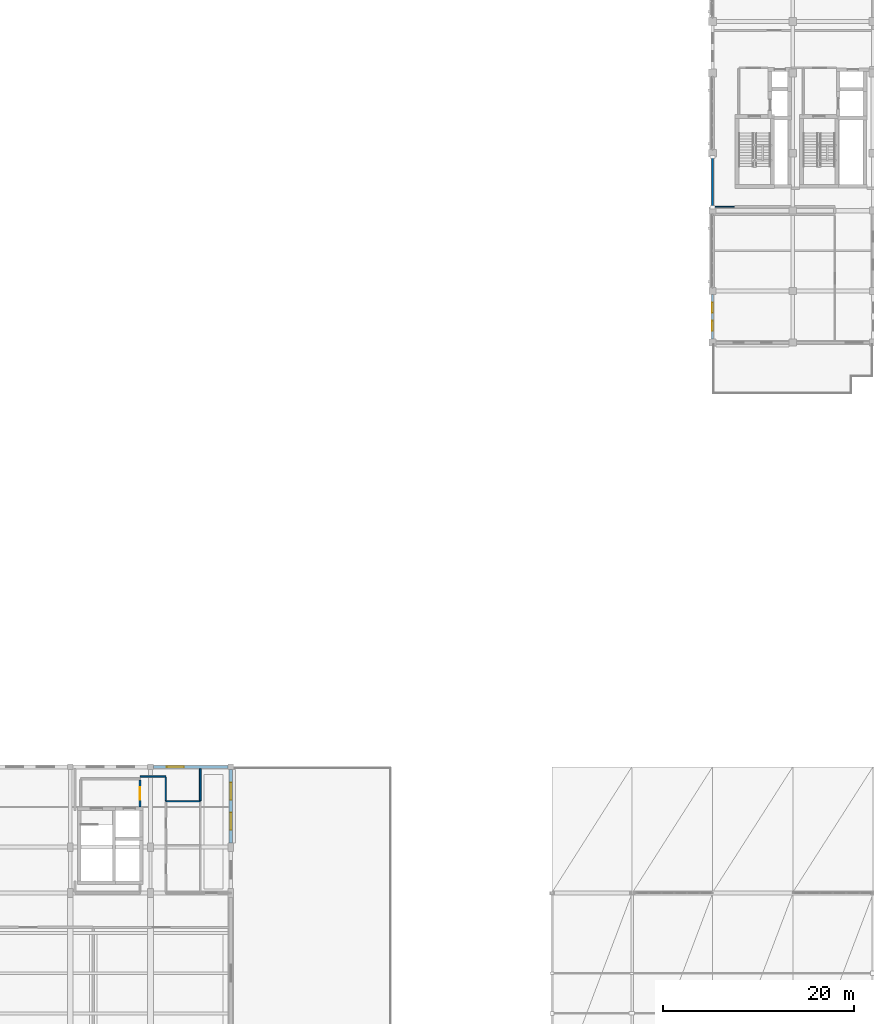
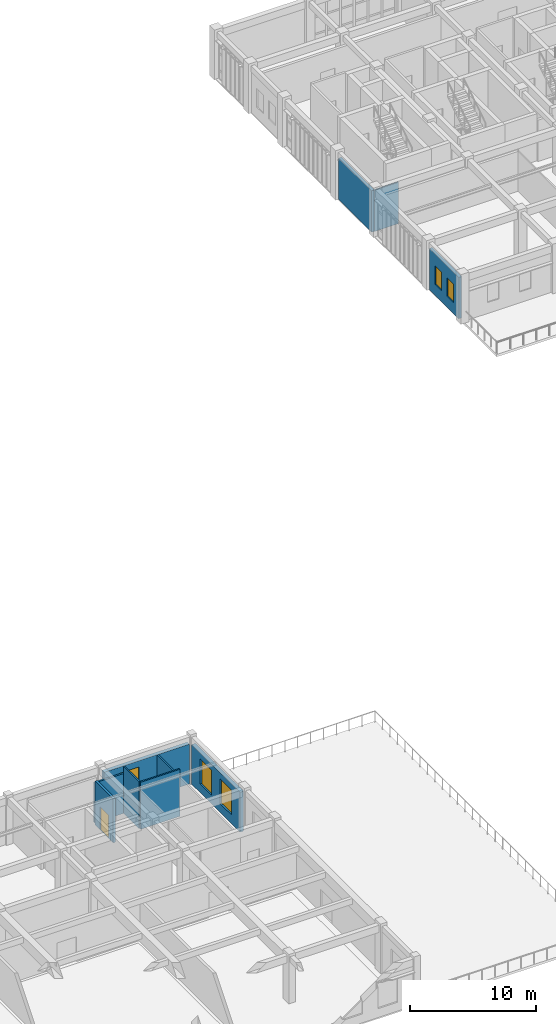
# One storey, part 70 of 76: 10 walls, 5 windows, 1 door, 6 openings.
"""IFC4 building model written with IfcOpenShell, lengths in metres."""

from ifc_helpers import new_model, si_unit, direction, frame, frame_2d, origin, place, context, subcontext, project, spatial, rectangle, extrude, material, layer, layer_set, type_object, element, fill, save


model = new_model("IFC4")

# Units and contexts
model_context = context("Model", 3, precision=1e-05, world=origin(), true_north=direction((0.0, 1.0)))
body_context = subcontext(model_context, "Body", "Model", "MODEL_VIEW")
ifc_project = project(units=[si_unit("LENGTHUNIT", "METRE"), si_unit("AREAUNIT", "SQUARE_METRE"), si_unit("VOLUMEUNIT", "CUBIC_METRE"), si_unit("PLANEANGLEUNIT", "RADIAN"), si_unit("MASSUNIT", "GRAM", prefix="KILO")], contexts=[model_context])

# Site, building, storey
site_placement = place(None, origin())
site = spatial("IfcSite", under=ifc_project, at=site_placement, CompositionType="ELEMENT")
building_placement = place(site_placement, origin())
building = spatial("IfcBuilding", under=site, at=building_placement, Name="Krzemoval Escarpment Law Courts", CompositionType="ELEMENT")
storey_placement = place(building_placement, frame((0.0, 0.0, 20.39990234375)))
storey = spatial("IfcBuildingStorey", under=building, at=storey_placement, Name="L04", CompositionType="ELEMENT", Elevation=20.39990234375)

# Wall, openings, windows
ifc_material_1 = material(Name="Precast concrete C40/50", Category="concrete")
ifc_layer_1 = layer(ifc_material_1, 0.260009765625)
ifc_layer_set_1 = layer_set([ifc_layer_1], Name="Precast concrete C40/50")
wall_type_1 = type_object("IfcWallType", Name="WL-EXT-260", PredefinedType="SOLIDWALL", material=ifc_layer_set_1)
wall_1_placement = place(storey_placement, frame((126.0, 80.175048828125, 0.0), z_axis=(0.0, 0.0, 1.0), x_axis=(0.0, 1.0, 0.0)))
wall_1 = element("IfcWall", 1, at=wall_1_placement, inside=storey, type_object=wall_type_1, Name="Exterior Wall EW-L04-0413", PredefinedType="SOLIDWALL", context=body_context, shape_type="SweptSolid", body=[
    extrude(rectangle(XDim=4.64990234375, YDim=0.260009765625, at=frame_2d((2.324951171875, 0.0))), origin(), (0.0, 0.0, 1.0), 4.0),
])
opening_1_placement = place(wall_1_placement, frame((0.85009765625, 0.0, 1.050048828125)))
opening_1 = element("IfcOpeningElement", 2, at=opening_1_placement, cuts=wall_1, Name="Opening WN-L04-0492", PredefinedType="OPENING", context=body_context, shape_type="SweptSolid", body=[
    extrude(rectangle(XDim=1.050048828125, YDim=1.800048828125, at=frame_2d((0.52490234375, 0.89990234375))), frame((0.0, 0.145, 0.0), z_axis=(0.0, -1.0, 0.0), x_axis=(1.0, 0.0, 0.0)), (0.0, 0.0, 1.0), 0.29001),
])
opening_2_placement = place(wall_1_placement, frame((2.75, 0.0, 1.050048828125)))
opening_2 = element("IfcOpeningElement", 3, at=opening_2_placement, cuts=wall_1, Name="Opening WN-L04-0493", PredefinedType="OPENING", context=body_context, shape_type="SweptSolid", body=[
    extrude(rectangle(XDim=1.050048828125, YDim=1.800048828125, at=frame_2d((0.52490234375, 0.89990234375))), frame((0.0, 0.145, 0.0), z_axis=(0.0, -1.0, 0.0), x_axis=(1.0, 0.0, 0.0)), (0.0, 0.0, 1.0), 0.29001),
])
ifc_material_2 = material(Name="Thermally Broken Aluminium Frame with Triple Low-E Acoustic Glass", Category="aluminium")
window_type_1 = type_object("IfcWindowType", Name="WN-1050x1800", PartitioningType="SINGLE_PANEL", PredefinedType="WINDOW", material=ifc_material_2)
window_1_placement = place(opening_1_placement, origin())
window_1 = element("IfcWindow", 4, at=window_1_placement, inside=storey, type_object=window_type_1, Name="Facade Window WN-L04-0492", OverallHeight=1.800048828125, OverallWidth=1.050048828125, PartitioningType="SINGLE_PANEL", PredefinedType="WINDOW", context=body_context, shape_type="SweptSolid", body=[
    extrude(rectangle(XDim=1.050048828125, YDim=1.800048828125, at=frame_2d((0.52490234375, 0.89990234375))), frame((0.0, 0.030029296875, 0.0), z_axis=(0.0, -1.0, 0.0), x_axis=(1.0, 0.0, 0.0)), (0.0, 0.0, 1.0), 0.06005859375),
])
fill(opening_1, window_1)
window_2_placement = place(opening_2_placement, origin())
window_2 = element("IfcWindow", 5, at=window_2_placement, inside=storey, type_object=window_type_1, Name="Facade Window WN-L04-0493", OverallHeight=1.800048828125, OverallWidth=1.050048828125, PartitioningType="SINGLE_PANEL", PredefinedType="WINDOW", context=body_context, shape_type="SweptSolid", body=[
    extrude(rectangle(XDim=1.050048828125, YDim=1.800048828125, at=frame_2d((0.52490234375, 0.89990234375))), frame((0.0, 0.030029296875, 0.0), z_axis=(0.0, -1.0, 0.0), x_axis=(1.0, 0.0, 0.0)), (0.0, 0.0, 1.0), 0.06005859375),
])
fill(opening_2, window_2)

# Wall
wall_2_placement = place(storey_placement, frame((126.0, 93.97509765625, 0.0), z_axis=(0.0, 0.0, 1.0), x_axis=(0.0, 1.0, 0.0)))
element("IfcWall", 6, at=wall_2_placement, inside=storey, type_object=wall_type_1, Name="Exterior Wall EW-L04-0414", PredefinedType="SOLIDWALL", context=body_context, shape_type="SweptSolid", body=[
    extrude(rectangle(XDim=5.224853515625, YDim=0.260009765625, at=frame_2d((2.6123046875, 0.0))), origin(), (0.0, 0.0, 1.0), 4.0),
])

# Wall, opening, window
ifc_material_3 = material(Name="Precast concrete C40/50", Category="concrete")
ifc_layer_2 = layer(ifc_material_3, 0.340087890625)
ifc_layer_set_2 = layer_set([ifc_layer_2], Name="Precast concrete C40/50")
wall_type_2 = type_object("IfcWallType", Name="WL-EXT-340", PredefinedType="SOLIDWALL", material=ifc_layer_set_2)
wall_3_placement = place(storey_placement, frame((67.5, 35.39990234375, 0.0), z_axis=(0.0, 0.0, 1.0), x_axis=(1.0, 0.0, 0.0)))
wall_3 = element("IfcWall", 7, at=wall_3_placement, inside=storey, type_object=wall_type_2, Name="Exterior Wall EW-L04-0403", PredefinedType="SOLIDWALL", context=body_context, shape_type="SweptSolid", body=[
    extrude(rectangle(XDim=7.800048828125, YDim=0.340087890625, at=frame_2d((3.89990234375, 0.0))), origin(), (0.0, 0.0, 1.0), 3.85009765625),
])
opening_3_placement = place(wall_3_placement, frame((1.39990234375, 0.0, 0.85009765625)))
opening_3 = element("IfcOpeningElement", 8, at=opening_3_placement, cuts=wall_3, Name="Opening WN-L04-0479", PredefinedType="OPENING", context=body_context, shape_type="SweptSolid", body=[
    extrude(rectangle(XDim=1.800048828125, YDim=2.39990234375, at=frame_2d((0.89990234375, 1.199951171875))), frame((0.0, 0.18504, 0.0), z_axis=(0.0, -1.0, 0.0), x_axis=(1.0, 0.0, 0.0)), (0.0, 0.0, 1.0), 0.37009),
])
ifc_material_4 = material(Name="Thermally Broken Aluminium Frame with Triple Low-E Acoustic Glass", Category="aluminium")
window_type_2 = type_object("IfcWindowType", Name="WN-1800x2400", PartitioningType="SINGLE_PANEL", PredefinedType="WINDOW", material=ifc_material_4)
window_3_placement = place(opening_3_placement, origin())
window_3 = element("IfcWindow", 9, at=window_3_placement, inside=storey, type_object=window_type_2, Name="Facade Window WN-L04-0479", OverallHeight=2.39990234375, OverallWidth=1.800048828125, PartitioningType="SINGLE_PANEL", PredefinedType="WINDOW", context=body_context, shape_type="SweptSolid", body=[
    extrude(rectangle(XDim=1.800048828125, YDim=2.39990234375, at=frame_2d((0.89990234375, 1.199951171875))), frame((0.0, 0.030029296875, 0.0), z_axis=(0.0, -1.0, 0.0), x_axis=(1.0, 0.0, 0.0)), (0.0, 0.0, 1.0), 0.06005859375),
])
fill(opening_3, window_3)

# Wall, openings, windows
wall_4_placement = place(storey_placement, frame((75.60009765625, 35.10009765625, 0.0), z_axis=(0.0, 0.0, 1.0), x_axis=(0.0, -1.0, 0.0)))
wall_4 = element("IfcWall", 10, at=wall_4_placement, inside=storey, type_object=wall_type_2, Name="Exterior Wall EW-L04-0404", PredefinedType="SOLIDWALL", context=body_context, shape_type="SweptSolid", body=[
    extrude(rectangle(XDim=7.650146484375, YDim=0.340087890625, at=frame_2d((3.8251953125, 0.0))), origin(), (0.0, 0.0, 1.0), 3.85009765625),
])
opening_4_placement = place(wall_4_placement, frame((1.35009765625, 0.0, 0.85009765625)))
opening_4 = element("IfcOpeningElement", 11, at=opening_4_placement, cuts=wall_4, Name="Opening WN-L04-0480", PredefinedType="OPENING", context=body_context, shape_type="SweptSolid", body=[
    extrude(rectangle(XDim=1.800048828125, YDim=2.39990234375, at=frame_2d((0.89990234375, 1.199951171875))), frame((0.0, 0.18504, 0.0), z_axis=(0.0, -1.0, 0.0), x_axis=(1.0, 0.0, 0.0)), (0.0, 0.0, 1.0), 0.37009),
])
opening_5_placement = place(wall_4_placement, frame((4.5, 0.0, 0.85009765625)))
opening_5 = element("IfcOpeningElement", 12, at=opening_5_placement, cuts=wall_4, Name="Opening WN-L04-0481", PredefinedType="OPENING", context=body_context, shape_type="SweptSolid", body=[
    extrude(rectangle(XDim=1.800048828125, YDim=2.39990234375, at=frame_2d((0.89990234375, 1.199951171875))), frame((0.0, 0.18504, 0.0), z_axis=(0.0, -1.0, 0.0), x_axis=(1.0, 0.0, 0.0)), (0.0, 0.0, 1.0), 0.37009),
])
window_4_placement = place(opening_4_placement, origin())
window_4 = element("IfcWindow", 13, at=window_4_placement, inside=storey, type_object=window_type_2, Name="Facade Window WN-L04-0480", OverallHeight=2.39990234375, OverallWidth=1.800048828125, PartitioningType="SINGLE_PANEL", PredefinedType="WINDOW", context=body_context, shape_type="SweptSolid", body=[
    extrude(rectangle(XDim=1.800048828125, YDim=2.39990234375, at=frame_2d((0.89990234375, 1.199951171875))), frame((0.0, 0.030029296875, 0.0), z_axis=(0.0, -1.0, 0.0), x_axis=(1.0, 0.0, 0.0)), (0.0, 0.0, 1.0), 0.06005859375),
])
fill(opening_4, window_4)
window_5_placement = place(opening_5_placement, origin())
window_5 = element("IfcWindow", 14, at=window_5_placement, inside=storey, type_object=window_type_2, Name="Facade Window WN-L04-0481", OverallHeight=2.39990234375, OverallWidth=1.800048828125, PartitioningType="SINGLE_PANEL", PredefinedType="WINDOW", context=body_context, shape_type="SweptSolid", body=[
    extrude(rectangle(XDim=1.800048828125, YDim=2.39990234375, at=frame_2d((0.89990234375, 1.199951171875))), frame((0.0, 0.030029296875, 0.0), z_axis=(0.0, -1.0, 0.0), x_axis=(1.0, 0.0, 0.0)), (0.0, 0.0, 1.0), 0.06005859375),
])
fill(opening_5, window_5)

# Walls
ifc_material_5 = material(Name="Light Internal Subdivision Partition", Category="gypsum")
ifc_layer_3 = layer(ifc_material_5, 0.114990234375)
ifc_layer_set_3 = layer_set([ifc_layer_3], Name="Light Internal Subdivision Partition")
wall_type_3 = type_object("IfcWallType", Name="WL-PRT-115", PredefinedType="PARTITIONING", material=ifc_layer_set_3)
wall_5_placement = place(storey_placement, frame((126.132080078125, 94.0, 0.0), z_axis=(0.0, 0.0, 1.0), x_axis=(1.0, 0.0, 0.0)))
element("IfcWall", 15, at=wall_5_placement, inside=storey, type_object=wall_type_3, Name="Interior Partition PW-L04-0600", PredefinedType="PARTITIONING", context=body_context, shape_type="SweptSolid", body=[
    extrude(rectangle(XDim=2.16796875, YDim=0.114990234375, at=frame_2d((1.083984375, 0.0))), origin(), (0.0, 0.0, 1.0), 4.0),
])
ifc_material_6 = material(Name="Standard Metal-Stud Gypsum Partition", Category="gypsum")
ifc_layer_4 = layer(ifc_material_6, 0.125)
ifc_layer_set_4 = layer_set([ifc_layer_4], Name="Standard Metal-Stud Gypsum Partition")
wall_type_4 = type_object("IfcWallType", Name="WL-PRT-125", PredefinedType="PARTITIONING", material=ifc_layer_set_4)
wall_6_placement = place(storey_placement, frame((68.800048828125, 31.8720703125, 0.0), z_axis=(0.0, 0.0, 1.0), x_axis=(0.0, 1.0, 0.0)))
element("IfcWall", 16, at=wall_6_placement, inside=storey, type_object=wall_type_4, Name="Interior Partition PW-L04-0623", PredefinedType="PARTITIONING", context=body_context, shape_type="SweptSolid", body=[
    extrude(rectangle(XDim=2.446044921875, YDim=0.125, at=frame_2d((1.22314453125, 0.0))), origin(), (0.0, 0.0, 1.0), 4.550048828125),
])
ifc_material_7 = material(Name="Sanitary Moisture-Resistant Partition", Category="gypsum")
ifc_layer_5 = layer(ifc_material_7, 0.139892578125)
ifc_layer_set_5 = layer_set([ifc_layer_5], Name="Sanitary Moisture-Resistant Partition")
wall_type_5 = type_object("IfcWallType", Name="WL-PRT-140", PredefinedType="PARTITIONING", material=ifc_layer_set_5)
wall_7_placement = place(storey_placement, frame((68.800048828125, 31.800048828125, 0.0), z_axis=(0.0, 0.0, 1.0), x_axis=(1.0, 0.0, 0.0)))
element("IfcWall", 17, at=wall_7_placement, inside=storey, type_object=wall_type_5, Name="Interior Partition PW-L04-0596", PredefinedType="PARTITIONING", context=body_context, shape_type="SweptSolid", body=[
    extrude(rectangle(XDim=3.599853515625, YDim=0.139892578125, at=frame_2d((1.7998046875, 0.0))), origin(), (0.0, 0.0, 1.0), 4.550048828125),
])
ifc_material_8 = material(Name="Jury Suite Partition Assembly", Category="gypsum")
ifc_layer_6 = layer(ifc_material_8, 0.159912109375)
ifc_layer_set_6 = layer_set([ifc_layer_6], Name="Jury Suite Partition Assembly")
wall_type_6 = type_object("IfcWallType", Name="WL-PRT-160", PredefinedType="PARTITIONING", material=ifc_layer_set_6)
wall_8_placement = place(storey_placement, frame((66.10009765625, 34.39990234375, 0.0), z_axis=(0.0, 0.0, 1.0), x_axis=(1.0, 0.0, 0.0)))
element("IfcWall", 18, at=wall_8_placement, inside=storey, type_object=wall_type_6, Name="Interior Partition PW-L04-0598", PredefinedType="PARTITIONING", context=body_context, shape_type="SweptSolid", body=[
    extrude(rectangle(XDim=2.699951171875, YDim=0.159912109375, at=frame_2d((1.35009765625, 0.0))), origin(), (0.0, 0.0, 1.0), 3.85009765625),
])
wall_9_placement = place(storey_placement, frame((72.39990234375, 31.8720703125, 0.0), z_axis=(0.0, 0.0, 1.0), x_axis=(0.0, 1.0, 0.0)))
element("IfcWall", 19, at=wall_9_placement, inside=storey, type_object=wall_type_6, Name="Interior Partition PW-L04-0628", PredefinedType="PARTITIONING", context=body_context, shape_type="SweptSolid", body=[
    extrude(rectangle(XDim=3.35595703125, YDim=0.159912109375, at=frame_2d((1.677978515625, 0.0))), origin(), (0.0, 0.0, 1.0), 3.85009765625),
])

# Wall, opening, door
ifc_material_9 = material(Name="Fire-Rated Corridor Partition Wall", Category="gypsum")
ifc_layer_7 = layer(ifc_material_9, 0.199951171875)
ifc_layer_set_7 = layer_set([ifc_layer_7], Name="Fire-Rated Corridor Partition Wall")
wall_type_7 = type_object("IfcWallType", Name="WL-PRT-200", PredefinedType="PARTITIONING", material=ifc_layer_set_7)
wall_10_placement = place(storey_placement, frame((66.10009765625, 31.201904296875, 0.0), z_axis=(0.0, 0.0, 1.0), x_axis=(0.0, 1.0, 0.0)))
wall_10 = element("IfcWall", 20, at=wall_10_placement, inside=storey, type_object=wall_type_7, Name="Interior Partition PW-L04-0621", PredefinedType="PARTITIONING", context=body_context, shape_type="SweptSolid", body=[
    extrude(rectangle(XDim=2.84619140625, YDim=0.199951171875, at=frame_2d((1.423095703125, 0.0))), origin(), (0.0, 0.0, 1.0), 4.25),
])
opening_6_placement = place(wall_10_placement, frame((0.77294921875, 0.0, 0.0)))
opening_6 = element("IfcOpeningElement", 21, at=opening_6_placement, cuts=wall_10, Name="Opening D-L04-0203", PredefinedType="OPENING", context=body_context, shape_type="SweptSolid", body=[
    extrude(rectangle(XDim=1.300048828125, YDim=2.199951171875, at=frame_2d((0.64990234375, 1.10009765625))), frame((0.0, 0.11498, 0.0), z_axis=(0.0, -1.0, 0.0), x_axis=(1.0, 0.0, 0.0)), (0.0, 0.0, 1.0), 0.22995),
])
ifc_material_10 = material(Name="Galvanised Steel S355", Category="steel")
door_type = type_object("IfcDoorType", Name="DR-STR-1300x2200", OperationType="SINGLE_SWING_LEFT", PredefinedType="DOOR", material=ifc_material_10)
door_placement = place(opening_6_placement, origin())
door = element("IfcDoor", 22, at=door_placement, inside=storey, type_object=door_type, Name="Room Door D-L04-0203", OperationType="SINGLE_SWING_LEFT", OverallHeight=2.199951171875, OverallWidth=1.300048828125, PredefinedType="DOOR", context=body_context, shape_type="SweptSolid", body=[
    extrude(rectangle(XDim=1.300048828125, YDim=2.199951171875, at=frame_2d((0.64990234375, 1.10009765625))), frame((0.0, 0.02490234375, 0.0), z_axis=(0.0, -1.0, 0.0), x_axis=(1.0, 0.0, 0.0)), (0.0, 0.0, 1.0), 0.050048828125),
])
fill(opening_6, door)

save(model, "model.ifc")
